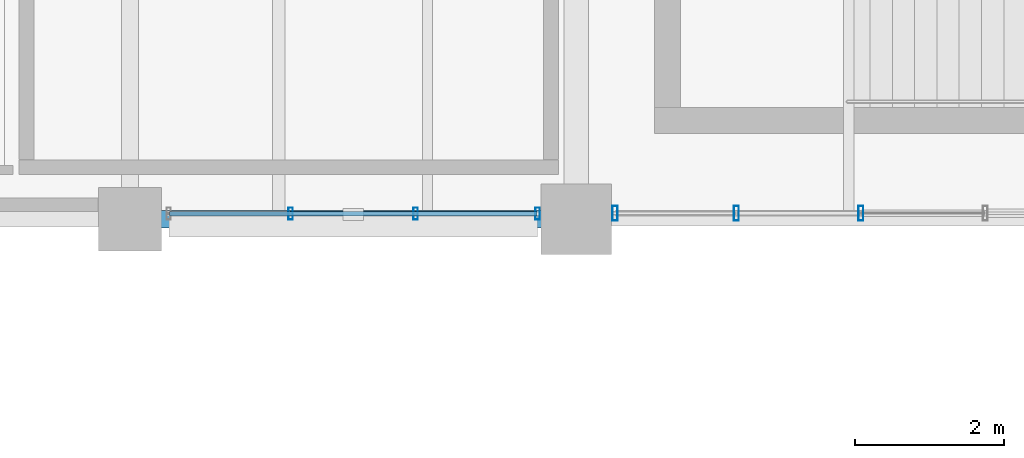
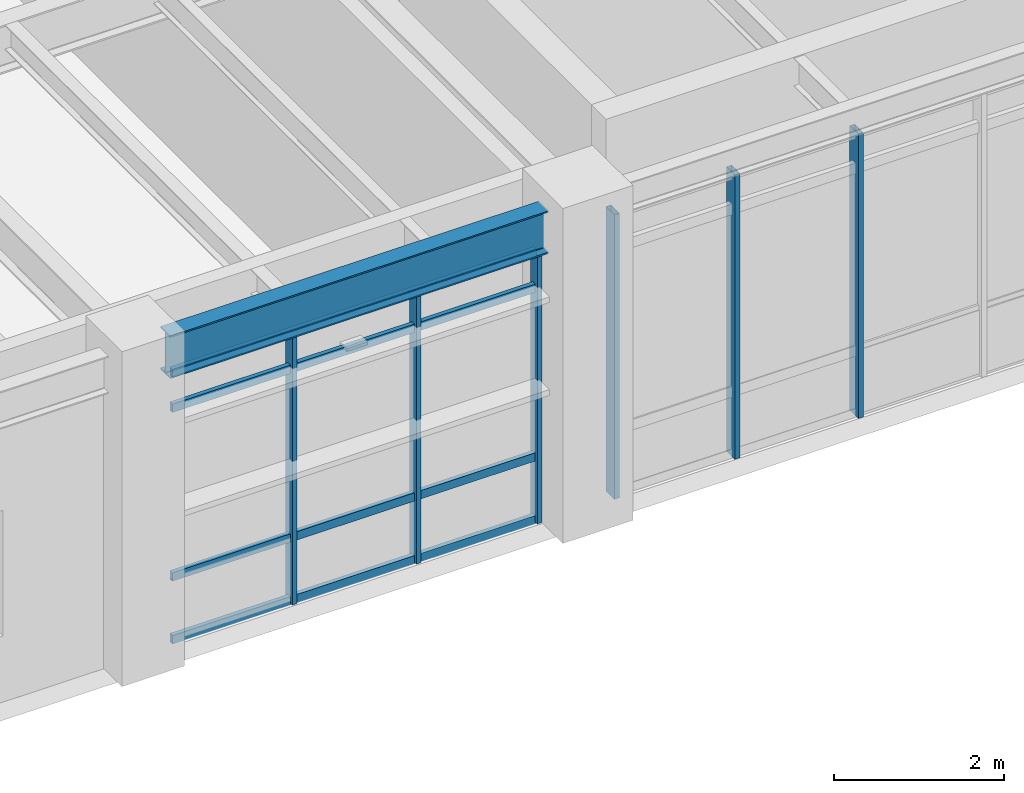
# One storey, part 115 of 200: 10 members, 1 beam, 2 elements without a shape of their own.
"""IFC4 building model written with IfcOpenShell, lengths in metres."""

import ifcopenshell
import ifcopenshell.guid

model = None  # the IFC model being written
_history = None  # IfcOwnerHistory: only IFC2X3 demands one
_inside = {}  # id of a spatial element -> (the spatial element, [elements in it])
_under = {}  # id of a project, library or spatial element -> (it, [spatial elements below it])
_declared = {}  # id of a project -> (the project, [libraries it declares])
_typed = {}  # id of a type object -> (the type object, [elements of that type])
_made_of = {}  # id of a material, layer set ... -> (it, [elements and type objects made of it])


def new_model(schema):
    """Start an empty IFC model of exactly this schema.

    Asked for "IFC4X3", IfcOpenShell would pick the latest addendum, in which some entities
    have other attributes; the version numbers below select the first issue.
    IFC2X3 requires an IfcOwnerHistory on every rooted entity: one is made here for all.
    """
    global model, _history
    if schema == "IFC4X3":
        model = ifcopenshell.file(schema_version=(4, 3, 0, 0))
    else:
        model = ifcopenshell.file(schema=schema)
    _inside.clear()
    _under.clear()
    _declared.clear()
    _typed.clear()
    _made_of.clear()
    _history = None
    if model.schema == "IFC2X3":
        org = make("IfcOrganization", Name="unknown")
        user = make(
            "IfcPersonAndOrganization",
            ThePerson=make("IfcPerson", FamilyName="unknown"),
            TheOrganization=org,
        )
        app = make(
            "IfcApplication",
            ApplicationDeveloper=org,
            Version="unknown",
            ApplicationFullName="unknown",
            ApplicationIdentifier="unknown",
        )
        _history = make(
            "IfcOwnerHistory",
            OwningUser=user,
            OwningApplication=app,
            ChangeAction="ADDED",
            CreationDate=0,
        )
    return model


def make(cls, **values):
    """One entity of the class cls with the attributes given. An attribute that is None is left unset."""
    return model.create_entity(
        cls, **{name: value for name, value in values.items() if value is not None}
    )


def rooted(cls, **values):
    """An entity with a GlobalId (a new one), such as an element, a storey or a relation."""
    return make(cls, GlobalId=ifcopenshell.guid.new(), OwnerHistory=_history, **values)


def si_unit(unit_type, name, prefix=None):
    """IfcSIUnit, for example si_unit("LENGTHUNIT", "METRE", prefix="MILLI")."""
    return make("IfcSIUnit", UnitType=unit_type, Prefix=prefix, Name=name)


def assignment(units):
    """IfcUnitAssignment: the units of a project."""
    return None if units is None else make("IfcUnitAssignment", Units=units)


def point(xyz):
    """IfcCartesianPoint."""
    return None if xyz is None else make("IfcCartesianPoint", Coordinates=xyz)


def direction(xyz):
    """IfcDirection."""
    return None if xyz is None else make("IfcDirection", DirectionRatios=xyz)


def frame(location, z_axis=None, x_axis=None):
    """IfcAxis2Placement3D, a coordinate frame: its origin and axes. An axis left out is left unset."""
    return make(
        "IfcAxis2Placement3D",
        Location=point(location),
        Axis=direction(z_axis),
        RefDirection=direction(x_axis),
    )


def frame_2d(location, x_axis=None):
    """IfcAxis2Placement2D, a coordinate frame in the plane: its origin and x axis."""
    return make(
        "IfcAxis2Placement2D", Location=point(location), RefDirection=direction(x_axis)
    )


def origin():
    """The frame at (0, 0, 0) with its axes left unset."""
    return frame((0.0, 0.0, 0.0))


def origin_2d():
    """The frame at (0, 0) in the plane with its x axis left unset."""
    return frame_2d((0.0, 0.0))


def place(relative_to, where):
    """IfcLocalPlacement: puts the frame where relative to a parent placement (None: the world)."""
    return make(
        "IfcLocalPlacement", PlacementRelTo=relative_to, RelativePlacement=where
    )


def context(
    kind, dimensions, precision=None, world=None, true_north=None, identifier=None
):
    """IfcGeometricRepresentationContext, for example the 3D "Model" context."""
    return make(
        "IfcGeometricRepresentationContext",
        ContextIdentifier=identifier,
        ContextType=kind,
        CoordinateSpaceDimension=dimensions,
        Precision=precision,
        WorldCoordinateSystem=world,
        TrueNorth=true_north,
    )


def subcontext(parent, identifier, kind, view, scale=None):
    """IfcGeometricRepresentationSubContext, for example "Body" below "Model"."""
    return make(
        "IfcGeometricRepresentationSubContext",
        ContextIdentifier=identifier,
        ContextType=kind,
        ParentContext=parent,
        TargetScale=scale,
        TargetView=view,
    )


def project(units=None, contexts=None):
    """IfcProject with its units and contexts."""
    return rooted(
        "IfcProject",
        Name="project",
        RepresentationContexts=contexts,
        UnitsInContext=assignment(units),
    )


def spatial(cls, under=None, at=None, **own):
    """A site, building, storey or space (cls), placed at a placement, below another one or the project."""
    s = rooted(cls, ObjectPlacement=at, **own)
    if under is not None:
        _under.setdefault(under.id(), (under, []))[1].append(s)
    return s


def profile(cls, at=None, kind="AREA", **sizes):
    """A parametric profile (cls). Its sizes go by their IFC names, for example OverallWidth=200.0."""
    return make(cls, ProfileType=kind, Position=at, **sizes)


def hollow_rectangle(**sizes):
    """IfcRectangleHollowProfileDef."""
    return profile("IfcRectangleHollowProfileDef", **sizes)


def i_section(**sizes):
    """IfcIShapeProfileDef."""
    return profile("IfcIShapeProfileDef", **sizes)


def extrude(swept, where, along, depth):
    """IfcExtrudedAreaSolid: the profile swept, set in the frame where, extruded along a direction by depth."""
    return make(
        "IfcExtrudedAreaSolid",
        SweptArea=swept,
        Position=where,
        ExtrudedDirection=direction(along),
        Depth=depth,
    )


def shape(context_of_items, identifier, shape_type, items):
    """IfcShapeRepresentation: the items that make up one representation, for example the "Body"."""
    return make(
        "IfcShapeRepresentation",
        ContextOfItems=context_of_items,
        RepresentationIdentifier=identifier,
        RepresentationType=shape_type,
        Items=items,
    )


def material(Name=None, Category=None):
    """IfcMaterial."""
    return make("IfcMaterial", Name=Name, Category=Category)


def material_profile(
    of_material, cross_section, Name=None, Category=None, Priority=None
):
    """IfcMaterialProfile: a cross section and its material."""
    return make(
        "IfcMaterialProfile",
        Name=Name,
        Material=of_material,
        Profile=cross_section,
        Priority=Priority,
        Category=Category,
    )


def profile_set(profiles, Name=None, composite=None):
    """IfcMaterialProfileSet."""
    return make(
        "IfcMaterialProfileSet",
        Name=Name,
        MaterialProfiles=profiles,
        CompositeProfile=composite,
    )


def made_of(thing, what):
    """Note that an element or type object is made of a material, layer set ...; save() writes the relation."""
    if what is not None:
        _made_of.setdefault(what.id(), (what, []))[1].append(thing)
    return thing


def type_object(cls, material=None, **own):
    """A type object (cls), such as IfcWallType, which elements share."""
    return made_of(rooted(cls, **own), material)


def element(
    cls,
    number,
    at=None,
    inside=None,
    cuts=None,
    type_object=None,
    material=None,
    context=None,
    identifier="Body",
    shape_type=None,
    held_by="IfcProductDefinitionShape",
    body=None,
    shapes=None,
    **own,
):
    """One element of the class cls, such as IfcWall. Its Tag is "e" and its number.

    at: its placement. inside: the storey or other place that contains it. cuts: it is an
    opening in that element (IfcRelVoidsElement). A single representation is given by context,
    identifier, shape_type and body (its items); several are given by shapes. held_by: the class
    of the entity that holds the representations. save() writes the other relations.
    """
    e = rooted(cls, Tag="e%d" % number, ObjectPlacement=at, **own)
    if body is not None:
        shapes = [shape(context, identifier, shape_type, body)]
    if shapes is not None:
        e.Representation = make(held_by, Representations=shapes)
    if inside is not None:
        _inside.setdefault(inside.id(), (inside, []))[1].append(e)
    if cuts is not None:
        rooted(
            "IfcRelVoidsElement", RelatingBuildingElement=cuts, RelatedOpeningElement=e
        )
    if type_object is not None:
        _typed.setdefault(type_object.id(), (type_object, []))[1].append(e)
    return made_of(e, material)


def aggregate(whole, parts):
    """IfcRelAggregates: a whole, such as a stair, and the parts it consists of."""
    return rooted("IfcRelAggregates", RelatingObject=whole, RelatedObjects=parts)


def save(model, path):
    """Write the relations noted so far, then the file.

    IfcRelAggregates (storeys below a building ...), IfcRelContainedInSpatialStructure (elements
    in a storey), IfcRelDefinesByType, IfcRelAssociatesMaterial and IfcRelDeclares: one each for
    every whole, place, type object, material and project.
    """
    for whole, parts in _under.values():
        aggregate(whole, parts)
    for where, things in _inside.values():
        rooted(
            "IfcRelContainedInSpatialStructure",
            RelatedElements=things,
            RelatingStructure=where,
        )
    for kind, things in _typed.values():
        rooted("IfcRelDefinesByType", RelatedObjects=things, RelatingType=kind)
    for what, things in _made_of.values():
        rooted("IfcRelAssociatesMaterial", RelatedObjects=things, RelatingMaterial=what)
    for by, libraries in _declared.values():
        rooted("IfcRelDeclares", RelatingContext=by, RelatedDefinitions=libraries)
    model.write(path)


model = new_model("IFC4")

# Units and contexts
model_context = context("Model", 3, precision=1e-05, world=origin(), true_north=direction((0.0, 1.0)))
body_context = subcontext(model_context, "Body", "Model", "MODEL_VIEW")
ifc_project = project(units=[si_unit("LENGTHUNIT", "METRE"), si_unit("AREAUNIT", "SQUARE_METRE"), si_unit("VOLUMEUNIT", "CUBIC_METRE"), si_unit("PLANEANGLEUNIT", "RADIAN"), si_unit("MASSUNIT", "GRAM", prefix="KILO"), si_unit("THERMODYNAMICTEMPERATUREUNIT", "KELVIN"), si_unit("POWERUNIT", "WATT")], contexts=[model_context])

# Site, building, storey
site_placement = place(None, origin())
site = spatial("IfcSite", under=ifc_project, at=site_placement, CompositionType="ELEMENT")
building_placement = place(site_placement, origin())
building = spatial("IfcBuilding", under=site, at=building_placement, Name="Tepalcoro Natatorium and Aquatics Centre", CompositionType="ELEMENT")
storey_placement = place(building_placement, frame((0.0, 0.0, 5.39990234375)))
storey = spatial("IfcBuildingStorey", under=building, at=storey_placement, Name="L01", CompositionType="ELEMENT", Elevation=5.39990234375)

# Curtain wall, members
ifc_material_1 = material(Name="Bronze-Anodised Extruded Aluminium Alloy EN AW-6063 T6", Category="aluminium")
curtain_wall_type_1 = type_object("IfcCurtainWallType", Name="CW_V4_VILLAGE", PredefinedType="USERDEFINED", material=ifc_material_1)
curtain_wall_1_placement = place(storey_placement, origin())
curtain_wall_1 = element("IfcCurtainWall", 1, at=curtain_wall_1_placement, inside=storey, type_object=curtain_wall_type_1, Name="V2 L01 S Unitised Curtain Wall Bay 3", ObjectType="UNITISED STOREFRONT", PredefinedType="USERDEFINED")
ifc_material_profile_1 = material_profile(ifc_material_1, hollow_rectangle(XDim=0.06005859375, YDim=0.159912109375, WallThickness=0.00390625, at=origin_2d()), Name="AL60X160X4")
ifc_profile_set_1 = profile_set([ifc_material_profile_1], Name="Bronze-Anodised Extruded Aluminium Alloy EN AW-6063 T6")
member_type_1 = type_object("IfcMemberType", Name="CW_MUL_60x160", PredefinedType="MULLION", material=ifc_profile_set_1)
member_1_placement = place(storey_placement, frame((161.159912109375, 6.576171875, 0.02001953125), z_axis=(0.0, 0.0, 1.0), x_axis=(1.0, 0.0, 0.0)))
member_1 = element("IfcMember", 2, at=member_1_placement, type_object=member_type_1, Name="CW_V4_VILLAGE Curtain Wall Mullion", PredefinedType="MULLION", context=body_context, shape_type="SweptSolid", body=[
    extrude(hollow_rectangle(XDim=0.06005859375, YDim=0.159912109375, WallThickness=0.00390625, at=origin_2d()), origin(), (0.0, 0.0, 1.0), 3.878173828125),
])
member_2_placement = place(storey_placement, frame((162.840087890625, 6.576171875, 0.02001953125), z_axis=(0.0, 0.0, 1.0), x_axis=(1.0, 0.0, 0.0)))
member_2 = element("IfcMember", 3, at=member_2_placement, type_object=member_type_1, Name="CW_V4_VILLAGE Curtain Wall Mullion", PredefinedType="MULLION", context=body_context, shape_type="SweptSolid", body=[
    extrude(hollow_rectangle(XDim=0.06005859375, YDim=0.159912109375, WallThickness=0.00390625, at=origin_2d()), origin(), (0.0, 0.0, 1.0), 3.878173828125),
])
member_3_placement = place(storey_placement, frame((164.47998046875, 6.576171875, 0.02001953125), z_axis=(0.0, 0.0, 1.0), x_axis=(1.0, 0.0, 0.0)))
member_3 = element("IfcMember", 4, at=member_3_placement, type_object=member_type_1, Name="CW_V4_VILLAGE Curtain Wall Mullion", PredefinedType="MULLION", context=body_context, shape_type="SweptSolid", body=[
    extrude(hollow_rectangle(XDim=0.06005859375, YDim=0.159912109375, WallThickness=0.00390625, at=origin_2d()), origin(), (0.0, 0.0, 1.0), 3.878173828125),
])

curtain_wall_type_2 = type_object("IfcCurtainWallType", Name="CW_V5_LOWER", PredefinedType="USERDEFINED", material=ifc_material_1)
curtain_wall_2_placement = place(storey_placement, origin())
curtain_wall_2 = element("IfcCurtainWall", 5, at=curtain_wall_2_placement, inside=storey, type_object=curtain_wall_type_2, Name="V2 L01 S Unitised Curtain Wall Bay 4", ObjectType="UNITISED STOREFRONT", PredefinedType="USERDEFINED")
ifc_material_profile_2 = material_profile(ifc_material_1, hollow_rectangle(XDim=0.070068359375, YDim=0.199951171875, WallThickness=0.0048828125, at=origin_2d()), Name="AL70X200X5")
ifc_profile_set_2 = profile_set([ifc_material_profile_2], Name="Bronze-Anodised Extruded Aluminium Alloy EN AW-6063 T6")
member_type_2 = type_object("IfcMemberType", Name="CW_MUL_70x200", PredefinedType="MULLION", material=ifc_profile_set_2)
member_4_placement = place(storey_placement, frame((165.52001953125, 6.580078125, 0.02001953125), z_axis=(0.0, 0.0, 1.0), x_axis=(1.0, 0.0, 0.0)))
member_4 = element("IfcMember", 6, at=member_4_placement, type_object=member_type_2, Name="CW_V5_LOWER Curtain Wall Mullion", PredefinedType="MULLION", context=body_context, shape_type="SweptSolid", body=[
    extrude(hollow_rectangle(XDim=0.070068359375, YDim=0.199951171875, WallThickness=0.0048828125, at=origin_2d()), origin(), (0.0, 0.0, 1.0), 4.0771484375),
])
member_5_placement = place(storey_placement, frame((167.1533203125, 6.580078125, 0.02001953125), z_axis=(0.0, 0.0, 1.0), x_axis=(1.0, 0.0, 0.0)))
member_5 = element("IfcMember", 7, at=member_5_placement, type_object=member_type_2, Name="CW_V5_LOWER Curtain Wall Mullion", PredefinedType="MULLION", context=body_context, shape_type="SweptSolid", body=[
    extrude(hollow_rectangle(XDim=0.070068359375, YDim=0.199951171875, WallThickness=0.0048828125, at=origin_2d()), origin(), (0.0, 0.0, 1.0), 4.0771484375),
])
member_6_placement = place(storey_placement, frame((168.82666015625, 6.580078125, 0.02001953125), z_axis=(0.0, 0.0, 1.0), x_axis=(1.0, 0.0, 0.0)))
member_6 = element("IfcMember", 8, at=member_6_placement, type_object=member_type_2, Name="CW_V5_LOWER Curtain Wall Mullion", PredefinedType="MULLION", context=body_context, shape_type="SweptSolid", body=[
    extrude(hollow_rectangle(XDim=0.070068359375, YDim=0.199951171875, WallThickness=0.0048828125, at=origin_2d()), origin(), (0.0, 0.0, 1.0), 4.0771484375),
])
aggregate(curtain_wall_2, [member_4, member_5, member_6])

# Member
ifc_material_profile_3 = material_profile(ifc_material_1, hollow_rectangle(XDim=0.06005859375, YDim=0.1201171875, WallThickness=0.00390625, at=origin_2d()), Name="AL60X120X4")
ifc_profile_set_3 = profile_set([ifc_material_profile_3], Name="Bronze-Anodised Extruded Aluminium Alloy EN AW-6063 T6")
member_type_3 = type_object("IfcMemberType", Name="CW_TRN_60x120", PredefinedType="USERDEFINED", material=ifc_profile_set_3)
member_7_placement = place(storey_placement, frame((159.530029296875, 6.576171875, 0.050048828125), z_axis=(1.0, 0.0, 0.0), x_axis=(0.0, 1.0, 0.0)))
member_7 = element("IfcMember", 9, at=member_7_placement, type_object=member_type_3, Name="CW_V4_VILLAGE Curtain Wall Transom", ObjectType="TRANSOM", PredefinedType="USERDEFINED", context=body_context, shape_type="SweptSolid", body=[
    extrude(hollow_rectangle(XDim=0.06005859375, YDim=0.1201171875, WallThickness=0.00390625, at=origin_2d()), origin(), (0.0, 0.0, 1.0), 4.93994140625),
])

member_8_placement = place(storey_placement, frame((159.530029296875, 6.576171875, 0.9501953125), z_axis=(1.0, 0.0, 0.0), x_axis=(0.0, 1.0, 0.0)))
member_8 = element("IfcMember", 10, at=member_8_placement, type_object=member_type_3, Name="CW_V4_VILLAGE Curtain Wall Transom", ObjectType="TRANSOM", PredefinedType="USERDEFINED", context=body_context, shape_type="SweptSolid", body=[
    extrude(hollow_rectangle(XDim=0.06005859375, YDim=0.1201171875, WallThickness=0.00390625, at=origin_2d()), origin(), (0.0, 0.0, 1.0), 4.93994140625),
])

member_9_placement = place(storey_placement, frame((159.530029296875, 6.576171875, 3.3681640625), z_axis=(1.0, 0.0, 0.0), x_axis=(0.0, 1.0, 0.0)))
member_9 = element("IfcMember", 11, at=member_9_placement, type_object=member_type_3, Name="CW_V4_VILLAGE Curtain Wall Transom", ObjectType="TRANSOM", PredefinedType="USERDEFINED", context=body_context, shape_type="SweptSolid", body=[
    extrude(hollow_rectangle(XDim=0.06005859375, YDim=0.1201171875, WallThickness=0.00390625, at=origin_2d()), origin(), (0.0, 0.0, 1.0), 4.93994140625),
])

member_10_placement = place(storey_placement, frame((159.530029296875, 6.576171875, 3.8681640625), z_axis=(1.0, 0.0, 0.0), x_axis=(0.0, 1.0, 0.0)))
member_10 = element("IfcMember", 12, at=member_10_placement, type_object=member_type_3, Name="CW_V4_VILLAGE Curtain Wall Transom", ObjectType="TRANSOM", PredefinedType="USERDEFINED", context=body_context, shape_type="SweptSolid", body=[
    extrude(hollow_rectangle(XDim=0.06005859375, YDim=0.1201171875, WallThickness=0.00390625, at=origin_2d()), origin(), (0.0, 0.0, 1.0), 4.93994140625),
])

aggregate(curtain_wall_1, [member_1, member_2, member_3, member_7, member_8, member_9, member_10])

# Beam
ifc_material_2 = material(Name="Steel ASTM A992 Grade 50 (Fy 345 MPa)", Category="steel")
ifc_material_profile_4 = material_profile(ifc_material_2, i_section(OverallWidth=0.22900390625, OverallDepth=0.612060546875, WebThickness=0.011962890625, FlangeThickness=0.02001953125, FilletRadius=0.013916015625, at=origin_2d()), Name="W24X84")
ifc_profile_set_4 = profile_set([ifc_material_profile_4], Name="Steel ASTM A992 Grade 50 (Fy 345 MPa)")
beam_type = type_object("IfcBeamType", Name="SP_W24x84", PredefinedType="SPANDREL", material=ifc_profile_set_4)
beam_placement = place(storey_placement, frame((159.409912109375, 6.5, 4.239013671875), z_axis=(1.0, 0.0, 0.0), x_axis=(0.0, 1.0, 0.0)))
element("IfcBeam", 13, at=beam_placement, inside=storey, type_object=beam_type, Name="V2 L01 Grid Girder X", PredefinedType="SPANDREL", context=body_context, shape_type="SweptSolid", body=[
    extrude(i_section(OverallWidth=0.22900390625, OverallDepth=0.612060546875, WebThickness=0.011962890625, FlangeThickness=0.02001953125, FilletRadius=0.013916015625, at=origin_2d()), origin(), (0.0, 0.0, 1.0), 5.130126953125),
])

save(model, "model.ifc")
